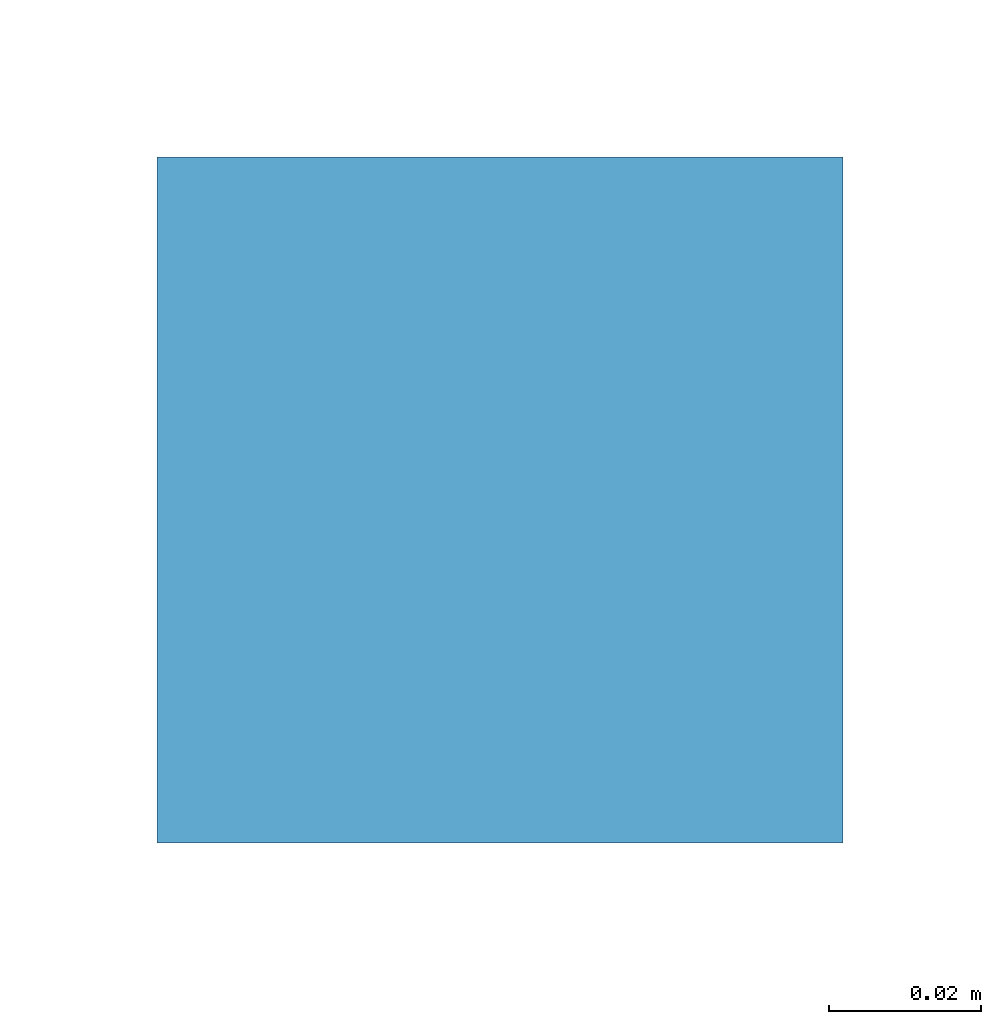
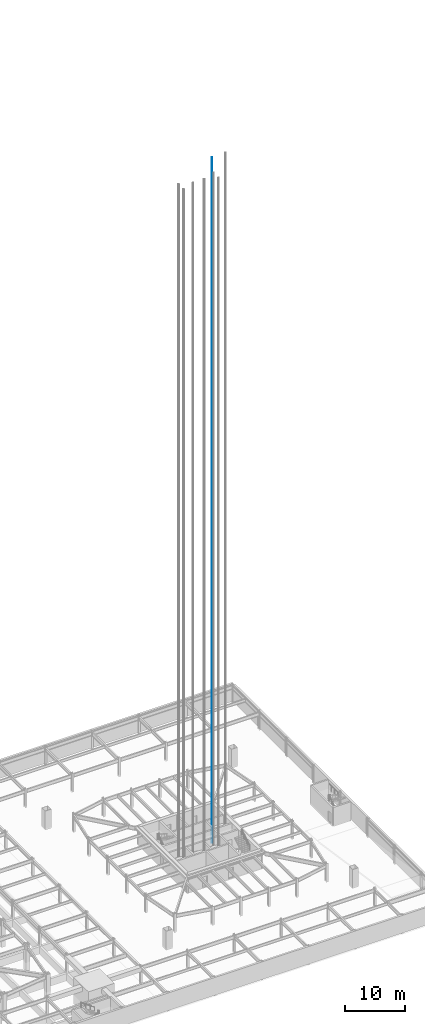
# One storey, part 31 of 35: 1 discrete accessory.
"""IFC4 building model written with IfcOpenShell, lengths in metres."""

import ifcopenshell
import ifcopenshell.guid

model = None  # the IFC model being written
_history = None  # IfcOwnerHistory: only IFC2X3 demands one
_inside = {}  # id of a spatial element -> (the spatial element, [elements in it])
_under = {}  # id of a project, library or spatial element -> (it, [spatial elements below it])
_declared = {}  # id of a project -> (the project, [libraries it declares])
_typed = {}  # id of a type object -> (the type object, [elements of that type])
_made_of = {}  # id of a material, layer set ... -> (it, [elements and type objects made of it])


def new_model(schema):
    """Start an empty IFC model of exactly this schema.

    Asked for "IFC4X3", IfcOpenShell would pick the latest addendum, in which some entities
    have other attributes; the version numbers below select the first issue.
    IFC2X3 requires an IfcOwnerHistory on every rooted entity: one is made here for all.
    """
    global model, _history
    if schema == "IFC4X3":
        model = ifcopenshell.file(schema_version=(4, 3, 0, 0))
    else:
        model = ifcopenshell.file(schema=schema)
    _inside.clear()
    _under.clear()
    _declared.clear()
    _typed.clear()
    _made_of.clear()
    _history = None
    if model.schema == "IFC2X3":
        org = make("IfcOrganization", Name="unknown")
        user = make(
            "IfcPersonAndOrganization",
            ThePerson=make("IfcPerson", FamilyName="unknown"),
            TheOrganization=org,
        )
        app = make(
            "IfcApplication",
            ApplicationDeveloper=org,
            Version="unknown",
            ApplicationFullName="unknown",
            ApplicationIdentifier="unknown",
        )
        _history = make(
            "IfcOwnerHistory",
            OwningUser=user,
            OwningApplication=app,
            ChangeAction="ADDED",
            CreationDate=0,
        )
    return model


def make(cls, **values):
    """One entity of the class cls with the attributes given. An attribute that is None is left unset."""
    return model.create_entity(
        cls, **{name: value for name, value in values.items() if value is not None}
    )


def rooted(cls, **values):
    """An entity with a GlobalId (a new one), such as an element, a storey or a relation."""
    return make(cls, GlobalId=ifcopenshell.guid.new(), OwnerHistory=_history, **values)


def si_unit(unit_type, name, prefix=None):
    """IfcSIUnit, for example si_unit("LENGTHUNIT", "METRE", prefix="MILLI")."""
    return make("IfcSIUnit", UnitType=unit_type, Prefix=prefix, Name=name)


def assignment(units):
    """IfcUnitAssignment: the units of a project."""
    return None if units is None else make("IfcUnitAssignment", Units=units)


def point(xyz):
    """IfcCartesianPoint."""
    return None if xyz is None else make("IfcCartesianPoint", Coordinates=xyz)


def direction(xyz):
    """IfcDirection."""
    return None if xyz is None else make("IfcDirection", DirectionRatios=xyz)


def frame(location, z_axis=None, x_axis=None):
    """IfcAxis2Placement3D, a coordinate frame: its origin and axes. An axis left out is left unset."""
    return make(
        "IfcAxis2Placement3D",
        Location=point(location),
        Axis=direction(z_axis),
        RefDirection=direction(x_axis),
    )


def frame_2d(location, x_axis=None):
    """IfcAxis2Placement2D, a coordinate frame in the plane: its origin and x axis."""
    return make(
        "IfcAxis2Placement2D", Location=point(location), RefDirection=direction(x_axis)
    )


def origin():
    """The frame at (0, 0, 0) with its axes left unset."""
    return frame((0.0, 0.0, 0.0))


def origin_2d():
    """The frame at (0, 0) in the plane with its x axis left unset."""
    return frame_2d((0.0, 0.0))


def place(relative_to, where):
    """IfcLocalPlacement: puts the frame where relative to a parent placement (None: the world)."""
    return make(
        "IfcLocalPlacement", PlacementRelTo=relative_to, RelativePlacement=where
    )


def context(
    kind, dimensions, precision=None, world=None, true_north=None, identifier=None
):
    """IfcGeometricRepresentationContext, for example the 3D "Model" context."""
    return make(
        "IfcGeometricRepresentationContext",
        ContextIdentifier=identifier,
        ContextType=kind,
        CoordinateSpaceDimension=dimensions,
        Precision=precision,
        WorldCoordinateSystem=world,
        TrueNorth=true_north,
    )


def subcontext(parent, identifier, kind, view, scale=None):
    """IfcGeometricRepresentationSubContext, for example "Body" below "Model"."""
    return make(
        "IfcGeometricRepresentationSubContext",
        ContextIdentifier=identifier,
        ContextType=kind,
        ParentContext=parent,
        TargetScale=scale,
        TargetView=view,
    )


def project(units=None, contexts=None):
    """IfcProject with its units and contexts."""
    return rooted(
        "IfcProject",
        Name="project",
        RepresentationContexts=contexts,
        UnitsInContext=assignment(units),
    )


def spatial(cls, under=None, at=None, **own):
    """A site, building, storey or space (cls), placed at a placement, below another one or the project."""
    s = rooted(cls, ObjectPlacement=at, **own)
    if under is not None:
        _under.setdefault(under.id(), (under, []))[1].append(s)
    return s


def profile(cls, at=None, kind="AREA", **sizes):
    """A parametric profile (cls). Its sizes go by their IFC names, for example OverallWidth=200.0."""
    return make(cls, ProfileType=kind, Position=at, **sizes)


def rectangle(**sizes):
    """IfcRectangleProfileDef."""
    return profile("IfcRectangleProfileDef", **sizes)


def extrude(swept, where, along, depth):
    """IfcExtrudedAreaSolid: the profile swept, set in the frame where, extruded along a direction by depth."""
    return make(
        "IfcExtrudedAreaSolid",
        SweptArea=swept,
        Position=where,
        ExtrudedDirection=direction(along),
        Depth=depth,
    )


def shape(context_of_items, identifier, shape_type, items):
    """IfcShapeRepresentation: the items that make up one representation, for example the "Body"."""
    return make(
        "IfcShapeRepresentation",
        ContextOfItems=context_of_items,
        RepresentationIdentifier=identifier,
        RepresentationType=shape_type,
        Items=items,
    )


def material(Name=None, Category=None):
    """IfcMaterial."""
    return make("IfcMaterial", Name=Name, Category=Category)


def made_of(thing, what):
    """Note that an element or type object is made of a material, layer set ...; save() writes the relation."""
    if what is not None:
        _made_of.setdefault(what.id(), (what, []))[1].append(thing)
    return thing


def element(
    cls,
    number,
    at=None,
    inside=None,
    cuts=None,
    type_object=None,
    material=None,
    context=None,
    identifier="Body",
    shape_type=None,
    held_by="IfcProductDefinitionShape",
    body=None,
    shapes=None,
    **own,
):
    """One element of the class cls, such as IfcWall. Its Tag is "e" and its number.

    at: its placement. inside: the storey or other place that contains it. cuts: it is an
    opening in that element (IfcRelVoidsElement). A single representation is given by context,
    identifier, shape_type and body (its items); several are given by shapes. held_by: the class
    of the entity that holds the representations. save() writes the other relations.
    """
    e = rooted(cls, Tag="e%d" % number, ObjectPlacement=at, **own)
    if body is not None:
        shapes = [shape(context, identifier, shape_type, body)]
    if shapes is not None:
        e.Representation = make(held_by, Representations=shapes)
    if inside is not None:
        _inside.setdefault(inside.id(), (inside, []))[1].append(e)
    if cuts is not None:
        rooted(
            "IfcRelVoidsElement", RelatingBuildingElement=cuts, RelatedOpeningElement=e
        )
    if type_object is not None:
        _typed.setdefault(type_object.id(), (type_object, []))[1].append(e)
    return made_of(e, material)


def aggregate(whole, parts):
    """IfcRelAggregates: a whole, such as a stair, and the parts it consists of."""
    return rooted("IfcRelAggregates", RelatingObject=whole, RelatedObjects=parts)


def save(model, path):
    """Write the relations noted so far, then the file.

    IfcRelAggregates (storeys below a building ...), IfcRelContainedInSpatialStructure (elements
    in a storey), IfcRelDefinesByType, IfcRelAssociatesMaterial and IfcRelDeclares: one each for
    every whole, place, type object, material and project.
    """
    for whole, parts in _under.values():
        aggregate(whole, parts)
    for where, things in _inside.values():
        rooted(
            "IfcRelContainedInSpatialStructure",
            RelatedElements=things,
            RelatingStructure=where,
        )
    for kind, things in _typed.values():
        rooted("IfcRelDefinesByType", RelatedObjects=things, RelatingType=kind)
    for what, things in _made_of.values():
        rooted("IfcRelAssociatesMaterial", RelatedObjects=things, RelatingMaterial=what)
    for by, libraries in _declared.values():
        rooted("IfcRelDeclares", RelatingContext=by, RelatedDefinitions=libraries)
    model.write(path)


model = new_model("IFC4")

# Units and contexts
model_context = context("Model", 3, precision=1e-05, world=origin(), true_north=direction((0.0, 1.0)))
body_context = subcontext(model_context, "Body", "Model", "MODEL_VIEW")
ifc_project = project(units=[si_unit("LENGTHUNIT", "METRE"), si_unit("AREAUNIT", "SQUARE_METRE"), si_unit("VOLUMEUNIT", "CUBIC_METRE"), si_unit("PLANEANGLEUNIT", "RADIAN"), si_unit("MASSUNIT", "GRAM", prefix="KILO")], contexts=[model_context])

# Site, building, storey
site_placement = place(None, origin())
site = spatial("IfcSite", under=ifc_project, at=site_placement, CompositionType="ELEMENT")
building_placement = place(site_placement, origin())
building = spatial("IfcBuilding", under=site, at=building_placement, Name="Iwan Alto Co-Living Towers", CompositionType="ELEMENT")
storey_placement = place(building_placement, frame((0.0, 0.0, -7.199951171875)))
storey = spatial("IfcBuildingStorey", under=building, at=storey_placement, Name="B2", CompositionType="ELEMENT", Elevation=-7.199951171875)

# Discrete accessory
ifc_material = material(Name="Steel ASTM A36", Category="steel")
placement = place(storey_placement, frame((68.0, 2.449951171875, 0.0), z_axis=(0.0, 0.0, 1.0), x_axis=(1.0, 0.0, 0.0)))
discrete_accessory_placement = place(placement, origin())
element("IfcDiscreteAccessory", 1, at=discrete_accessory_placement, inside=storey, material=ifc_material, Name="Lift FL2 guide rail 1", ObjectType="Lift guide rail", PredefinedType="USERDEFINED", context=body_context, shape_type="SweptSolid", body=[
    extrude(rectangle(XDim=0.09, YDim=0.09, at=origin_2d()), frame((-1.300048828125, 0.0, -0.199951171875)), (0.0, 0.0, 1.0), 139.300048828125),
])

save(model, "model.ifc")
